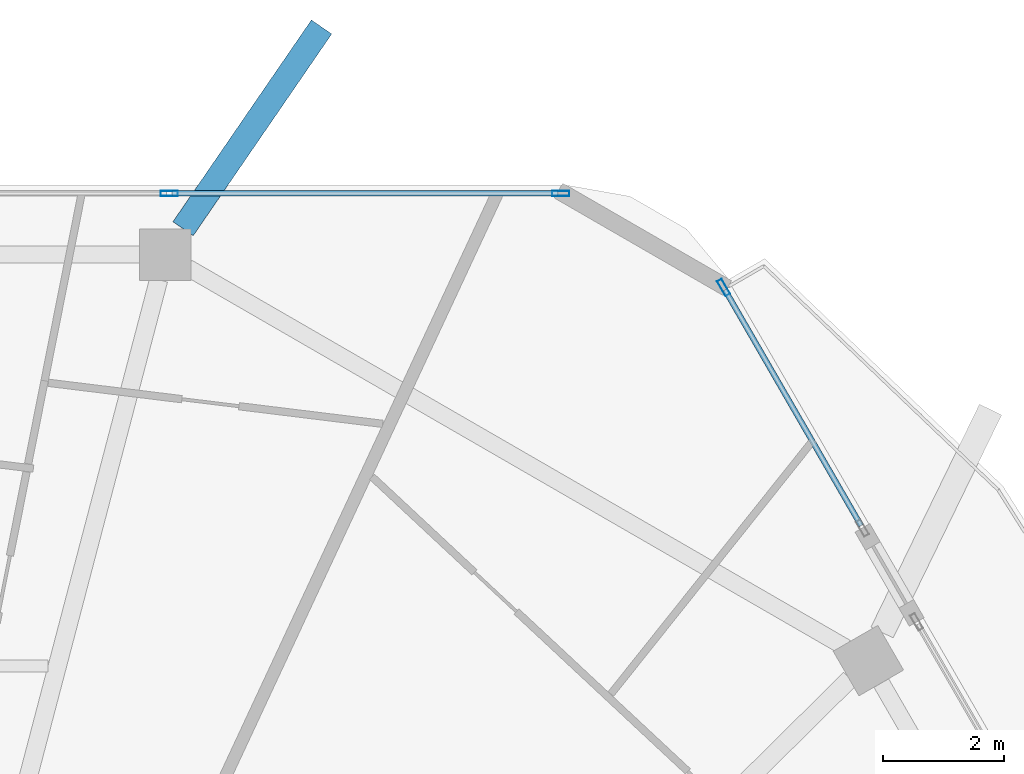
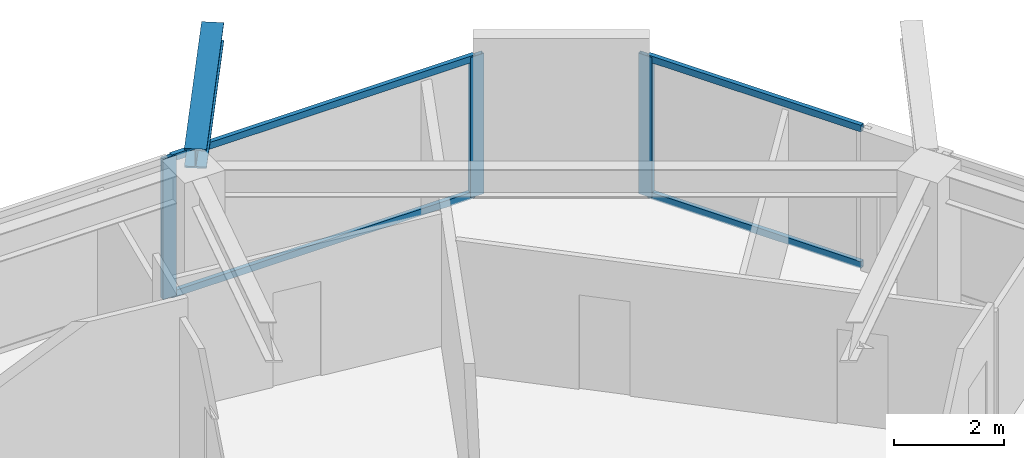
# One storey, part 16 of 26: 7 members, 1 beam, 2 elements without a shape of their own.
"""IFC4 building model written with IfcOpenShell, lengths in metres."""

from ifc_helpers import new_model, si_unit, direction, frame, origin, origin_2d, place, context, subcontext, project, spatial, hollow_rectangle, i_section, extrude, material, material_profile, profile_set, type_object, element, aggregate, save


model = new_model("IFC4")

# Units and contexts
model_context = context("Model", 3, precision=1e-05, world=origin(), true_north=direction((0.0, 1.0)))
body_context = subcontext(model_context, "Body", "Model", "MODEL_VIEW")
ifc_project = project(units=[si_unit("LENGTHUNIT", "METRE"), si_unit("AREAUNIT", "SQUARE_METRE"), si_unit("VOLUMEUNIT", "CUBIC_METRE"), si_unit("PLANEANGLEUNIT", "RADIAN"), si_unit("MASSUNIT", "GRAM", prefix="KILO")], contexts=[model_context])

# Site, building, storey
site_placement = place(None, origin())
site = spatial("IfcSite", under=ifc_project, at=site_placement, CompositionType="ELEMENT")
building_placement = place(site_placement, origin())
building = spatial("IfcBuilding", under=site, at=building_placement, Name="Zuhravey Tower", CompositionType="ELEMENT")
storey_placement = place(building_placement, frame((0.0, 0.0, 273.0)))
storey = spatial("IfcBuildingStorey", under=building, at=storey_placement, Name="L69", CompositionType="ELEMENT", Elevation=273.0)

# Curtain wall, members
ifc_material_1 = material(Name="Thermally broken anodised aluminium", Category="aluminium")
curtain_wall_type = type_object("IfcCurtainWallType", Name="Zone 3-4 High-Rise Curtain Wall CW4", PredefinedType="NOTDEFINED", material=ifc_material_1)
curtain_wall_1_placement = place(storey_placement, origin())
curtain_wall_1 = element("IfcCurtainWall", 1, at=curtain_wall_1_placement, inside=storey, type_object=curtain_wall_type, Name="L69 CW4 CW-L69-F2-1", PredefinedType="NOTDEFINED")
ifc_material_2 = material(Name="Anodised aluminium", Category="aluminium")
ifc_material_profile_1 = material_profile(ifc_material_2, hollow_rectangle(XDim=0.090087890625, YDim=0.284912109375, WallThickness=0.0048828125, at=origin_2d()), Name="ALU-RHS-90x285x5")
ifc_profile_set_1 = profile_set([ifc_material_profile_1], Name="Anodised aluminium")
member_type_1 = type_object("IfcMemberType", Name="Curtain-Wall Mullion 90x180", PredefinedType="MULLION", material=ifc_profile_set_1)
member_1_placement = place(storey_placement, frame((42.50634765625, 57.563720703125, 0.0), z_axis=(0.0, 0.0, 1.0), x_axis=(0.0, 1.0, 0.0)))
member_1 = element("IfcMember", 2, at=member_1_placement, type_object=member_type_1, Name="CW4 mullion 4", PredefinedType="MULLION", context=body_context, shape_type="SweptSolid", body=[
    extrude(hollow_rectangle(XDim=0.090087890625, YDim=0.284912109375, WallThickness=0.0048828125, at=origin_2d()), origin(), (0.0, 0.0, 1.0), 3.1220703125),
])
member_2_placement = place(storey_placement, frame((48.9677734375, 57.563720703125, 0.0), z_axis=(0.0, 0.0, 1.0), x_axis=(0.0, 1.0, 0.0)))
member_2 = element("IfcMember", 3, at=member_2_placement, type_object=member_type_1, Name="CW4 mullion 5", PredefinedType="MULLION", context=body_context, shape_type="SweptSolid", body=[
    extrude(hollow_rectangle(XDim=0.090087890625, YDim=0.284912109375, WallThickness=0.0048828125, at=origin_2d()), origin(), (0.0, 0.0, 1.0), 3.1220703125),
])

# Curtain wall, member
curtain_wall_2_placement = place(storey_placement, origin())
curtain_wall_2 = element("IfcCurtainWall", 4, at=curtain_wall_2_placement, inside=storey, type_object=curtain_wall_type, Name="L69 CW4 CW-L69-F1-1", PredefinedType="NOTDEFINED")
member_3_placement = place(storey_placement, frame((51.65478515625, 56.01220703125, 0.0), z_axis=(0.0, 0.0, 1.0), x_axis=(0.866018752921, 0.500011519456, 0.0)))
member_3 = element("IfcMember", 5, at=member_3_placement, type_object=member_type_1, Name="CW4 mullion 1", PredefinedType="MULLION", context=body_context, shape_type="SweptSolid", body=[
    extrude(hollow_rectangle(XDim=0.090087890625, YDim=0.284912109375, WallThickness=0.0048828125, at=origin_2d()), origin(), (0.0, 0.0, 1.0), 3.1220703125),
])

# Member
ifc_material_profile_2 = material_profile(ifc_material_2, hollow_rectangle(XDim=0.090087890625, YDim=0.14990234375, WallThickness=0.0048828125, at=origin_2d()), Name="ALU-RHS-90x150x5")
ifc_profile_set_2 = profile_set([ifc_material_profile_2], Name="Anodised aluminium")
member_type_2 = type_object("IfcMemberType", Name="Curtain-Wall Transom 90x150", PredefinedType="USERDEFINED", material=ifc_profile_set_2)
member_4_placement = place(storey_placement, frame((42.55126953125, 57.563720703125, 0.044921875), z_axis=(1.0, 0.0, 0.0), x_axis=(0.0, 1.0, 0.0)))
member_4 = element("IfcMember", 6, at=member_4_placement, type_object=member_type_2, Name="CW4 transom 4.1", ObjectType="TRANSOM", PredefinedType="USERDEFINED", context=body_context, shape_type="SweptSolid", body=[
    extrude(hollow_rectangle(XDim=0.090087890625, YDim=0.14990234375, WallThickness=0.0048828125, at=origin_2d()), origin(), (0.0, 0.0, 1.0), 6.371337890625),
])

member_5_placement = place(storey_placement, frame((42.55126953125, 57.563720703125, 3.076904296875), z_axis=(1.0, 0.0, 0.0), x_axis=(0.0, 1.0, 0.0)))
member_5 = element("IfcMember", 7, at=member_5_placement, type_object=member_type_2, Name="CW4 transom 4.2", ObjectType="TRANSOM", PredefinedType="USERDEFINED", context=body_context, shape_type="SweptSolid", body=[
    extrude(hollow_rectangle(XDim=0.090087890625, YDim=0.14990234375, WallThickness=0.0048828125, at=origin_2d()), origin(), (0.0, 0.0, 1.0), 6.371337890625),
])

aggregate(curtain_wall_1, [member_1, member_2, member_4, member_5])

member_6_placement = place(storey_placement, frame((51.677490234375, 55.97314453125, 0.044921875), z_axis=(0.499985955615, -0.866033512162, 0.0), x_axis=(0.866033512162, 0.499985955615, 0.0)))
member_6 = element("IfcMember", 8, at=member_6_placement, type_object=member_type_2, Name="CW4 transom 1.1", ObjectType="TRANSOM", PredefinedType="USERDEFINED", context=body_context, shape_type="SweptSolid", body=[
    extrude(hollow_rectangle(XDim=0.090087890625, YDim=0.14990234375, WallThickness=0.0048828125, at=origin_2d()), origin(), (0.0, 0.0, 1.0), 4.491455078125),
])

member_7_placement = place(storey_placement, frame((51.677490234375, 55.97314453125, 3.076904296875), z_axis=(0.499985955615, -0.866033512162, 0.0), x_axis=(0.866033512162, 0.499985955615, 0.0)))
member_7 = element("IfcMember", 9, at=member_7_placement, type_object=member_type_2, Name="CW4 transom 1.2", ObjectType="TRANSOM", PredefinedType="USERDEFINED", context=body_context, shape_type="SweptSolid", body=[
    extrude(hollow_rectangle(XDim=0.090087890625, YDim=0.14990234375, WallThickness=0.0048828125, at=origin_2d()), origin(), (0.0, 0.0, 1.0), 4.491455078125),
])

aggregate(curtain_wall_2, [member_3, member_6, member_7])

# Beam
ifc_material_3 = material(Name="Steel SM460", Category="steel")
ifc_material_profile_3 = material_profile(ifc_material_3, i_section(OverallWidth=0.406982421875, OverallDepth=0.427978515625, WebThickness=0.02001953125, FlangeThickness=0.034912109375, at=origin_2d()), Name="H-428x407x20x35")
ifc_profile_set_3 = profile_set([ifc_material_profile_3], Name="Steel SM460")
beam_type = type_object("IfcBeamType", Name="Exoskeleton Node Tie Beam H428x407", PredefinedType="BEAM", material=ifc_profile_set_3)
beam_placement = place(storey_placement, frame((42.73486328125, 56.98193359375, 3.3359375), z_axis=(0.565977066696, 0.824420984676, 0.0), x_axis=(-0.824420984676, 0.565977066696, 0.0)))
element("IfcBeam", 10, at=beam_placement, inside=storey, type_object=beam_type, Name="L69 Exoskeleton Node Tie NT1-03", PredefinedType="BEAM", context=body_context, shape_type="SweptSolid", body=[
    extrude(i_section(OverallWidth=0.406982421875, OverallDepth=0.427978515625, WebThickness=0.02001953125, FlangeThickness=0.034912109375, at=origin_2d()), origin(), (0.0, 0.0, 1.0), 4.038330078125),
])

save(model, "model.ifc")
